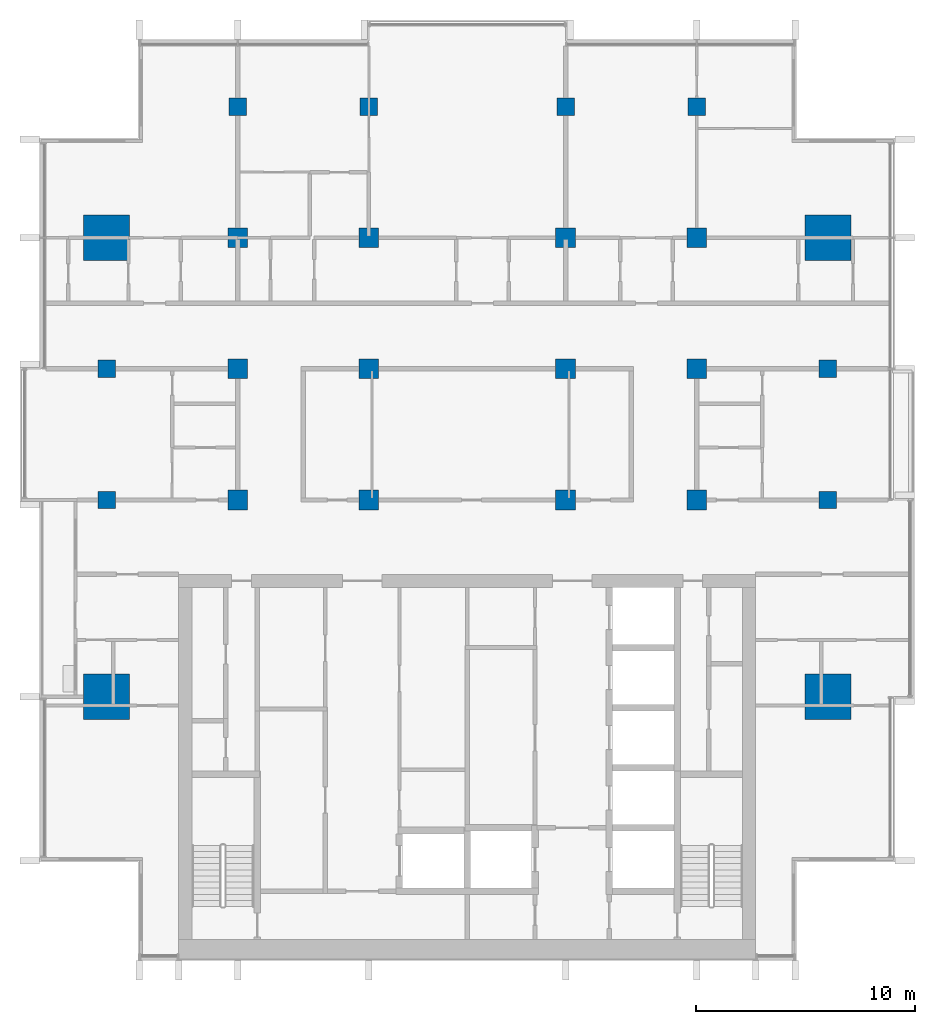
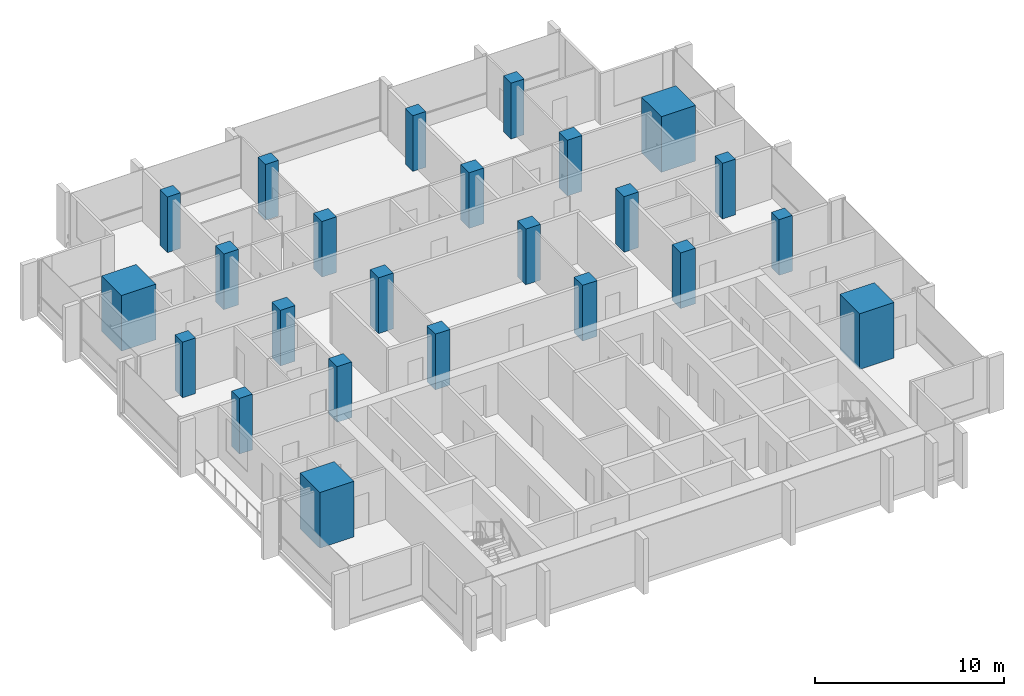
# One storey, part 1 of 16: 24 columns.
"""IFC4 building model written with IfcOpenShell, lengths in metres."""

from ifc_helpers import new_model, si_unit, direction, frame, origin, origin_2d, place, context, subcontext, project, spatial, rectangle, extrude, material, material_profile, profile_set, type_object, element, save


model = new_model("IFC4")

# Units and contexts
model_context = context("Model", 3, precision=1e-05, world=origin(), true_north=direction((0.0, 1.0)))
body_context = subcontext(model_context, "Body", "Model", "MODEL_VIEW")
ifc_project = project(units=[si_unit("LENGTHUNIT", "METRE"), si_unit("AREAUNIT", "SQUARE_METRE"), si_unit("VOLUMEUNIT", "CUBIC_METRE"), si_unit("PLANEANGLEUNIT", "RADIAN"), si_unit("MASSUNIT", "GRAM", prefix="KILO")], contexts=[model_context])

# Site, building, storey
site_placement = place(None, origin())
site = spatial("IfcSite", under=ifc_project, at=site_placement, CompositionType="ELEMENT")
building_placement = place(site_placement, origin())
building = spatial("IfcBuilding", under=site, at=building_placement, Name="Finial Court Residences", CompositionType="ELEMENT")
storey_placement = place(building_placement, frame((0.0, 0.0, 215.89990234375)))
storey = spatial("IfcBuildingStorey", under=building, at=storey_placement, Name="L54", CompositionType="ELEMENT", Elevation=215.89990234375)

# Columns
ifc_material = material(Name="Concrete C50/60", Category="concrete")
ifc_material_profile_1 = material_profile(ifc_material, rectangle(XDim=0.89990234375, YDim=0.89990234375, at=origin_2d()), Name="900x900")
ifc_profile_set_1 = profile_set([ifc_material_profile_1], Name="Concrete C50/60")
column_type_1 = type_object("IfcColumnType", Name="Interior column 900x900 Concrete C50/60", PredefinedType="COLUMN", material=ifc_profile_set_1)
for number, where, z_axis, x_axis, name in (
    (1, (-10.5, -4.5, 0.0), (0.0, 0.0, 1.0), (1.0, 0.0, 0.0), "S:COL:L54:D4"),
    (2, (-10.5, 1.5, 0.0), (0.0, 0.0, 1.0), (1.0, 0.0, 0.0), "S:COL:L54:D5"),
    (3, (-10.5, 7.5, 0.0), (0.0, 0.0, 1.0), (1.0, 0.0, 0.0), "S:COL:L54:D6"),
    (4, (-4.5, -4.5, 0.0), (0.0, 0.0, 1.0), (1.0, 0.0, 0.0), "S:COL:L54:E4"),
    (5, (-4.5, 1.5, 0.0), (0.0, 0.0, 1.0), (1.0, 0.0, 0.0), "S:COL:L54:E5"),
    (6, (-4.5, 7.5, 0.0), (0.0, 0.0, 1.0), (1.0, 0.0, 0.0), "S:COL:L54:E6"),
    (7, (4.5, -4.5, 0.0), (0.0, 0.0, 1.0), (1.0, 0.0, 0.0), "S:COL:L54:F4"),
    (8, (4.5, 1.5, 0.0), (0.0, 0.0, 1.0), (1.0, 0.0, 0.0), "S:COL:L54:F5"),
    (9, (4.5, 7.5, 0.0), (0.0, 0.0, 1.0), (1.0, 0.0, 0.0), "S:COL:L54:F6"),
    (10, (10.5, -4.5, 0.0), (0.0, 0.0, 1.0), (1.0, 0.0, 0.0), "S:COL:L54:G4"),
    (11, (10.5, 1.5, 0.0), (0.0, 0.0, 1.0), (1.0, 0.0, 0.0), "S:COL:L54:G5"),
    (12, (10.5, 7.5, 0.0), (0.0, 0.0, 1.0), (1.0, 0.0, 0.0), "S:COL:L54:G6"),
):
    element("IfcColumn", number, at=place(storey_placement, frame(where, z_axis=z_axis, x_axis=x_axis)), inside=storey, type_object=column_type_1, Name=name, PredefinedType="COLUMN", context=body_context, shape_type="SweptSolid", body=[
        extrude(rectangle(XDim=0.89990234375, YDim=0.89990234375, at=origin_2d()), origin(), (0.0, 0.0, 1.0), 3.60009765625),
    ])
ifc_material_profile_2 = material_profile(ifc_material, rectangle(XDim=2.10009765625, YDim=2.10009765625, at=origin_2d()), Name="2100x2100")
ifc_profile_set_2 = profile_set([ifc_material_profile_2], Name="Concrete C50/60")
column_type_2 = type_object("IfcColumnType", Name="Mega column 2100x2100 Concrete C50/60", PredefinedType="COLUMN", material=ifc_profile_set_2)
for number, where, z_axis, x_axis, name in (
    (13, (-16.5, -13.5, 0.0), (0.0, 0.0, 1.0), (1.0, 0.0, 0.0), "S:COL:L54:C3"),
    (14, (-16.5, 7.5, 0.0), (0.0, 0.0, 1.0), (1.0, 0.0, 0.0), "S:COL:L54:C6"),
    (15, (16.5, -13.5, 0.0), (0.0, 0.0, 1.0), (1.0, 0.0, 0.0), "S:COL:L54:H3"),
    (16, (16.5, 7.5, 0.0), (0.0, 0.0, 1.0), (1.0, 0.0, 0.0), "S:COL:L54:H6"),
):
    element("IfcColumn", number, at=place(storey_placement, frame(where, z_axis=z_axis, x_axis=x_axis)), inside=storey, type_object=column_type_2, Name=name, PredefinedType="COLUMN", context=body_context, shape_type="SweptSolid", body=[
        extrude(rectangle(XDim=2.10009765625, YDim=2.10009765625, at=origin_2d()), origin(), (0.0, 0.0, 1.0), 3.60009765625),
    ])
ifc_material_profile_3 = material_profile(ifc_material, rectangle(XDim=0.800048828125, YDim=0.800048828125, at=origin_2d()), Name="800x800")
ifc_profile_set_3 = profile_set([ifc_material_profile_3], Name="Concrete C50/60")
column_type_3 = type_object("IfcColumnType", Name="Perimeter column 800x800 Concrete C50/60", PredefinedType="COLUMN", material=ifc_profile_set_3)
for number, where, z_axis, x_axis, name in (
    (17, (-16.5, -4.5, 0.0), (0.0, 0.0, 1.0), (1.0, 0.0, 0.0), "S:COL:L54:C4"),
    (18, (-16.5, 1.5, 0.0), (0.0, 0.0, 1.0), (1.0, 0.0, 0.0), "S:COL:L54:C5"),
    (19, (-10.5, 13.5, 0.0), (0.0, 0.0, 1.0), (1.0, 0.0, 0.0), "S:COL:L54:D7"),
    (20, (-4.5, 13.5, 0.0), (0.0, 0.0, 1.0), (1.0, 0.0, 0.0), "S:COL:L54:E7"),
    (21, (4.5, 13.5, 0.0), (0.0, 0.0, 1.0), (1.0, 0.0, 0.0), "S:COL:L54:F7"),
    (22, (10.5, 13.5, 0.0), (0.0, 0.0, 1.0), (1.0, 0.0, 0.0), "S:COL:L54:G7"),
    (23, (16.5, -4.5, 0.0), (0.0, 0.0, 1.0), (1.0, 0.0, 0.0), "S:COL:L54:H4"),
    (24, (16.5, 1.5, 0.0), (0.0, 0.0, 1.0), (1.0, 0.0, 0.0), "S:COL:L54:H5"),
):
    element("IfcColumn", number, at=place(storey_placement, frame(where, z_axis=z_axis, x_axis=x_axis)), inside=storey, type_object=column_type_3, Name=name, PredefinedType="COLUMN", context=body_context, shape_type="SweptSolid", body=[
        extrude(rectangle(XDim=0.800048828125, YDim=0.800048828125, at=origin_2d()), origin(), (0.0, 0.0, 1.0), 3.60009765625),
    ])

save(model, "model.ifc")
